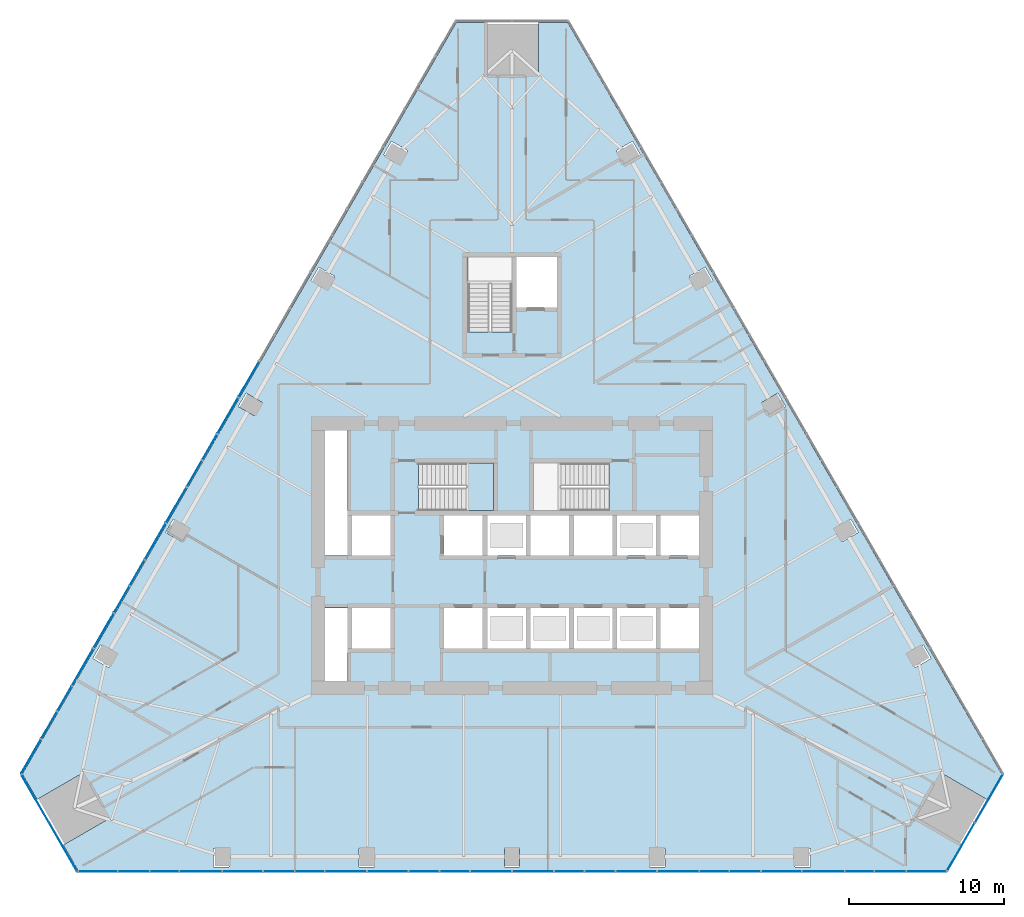
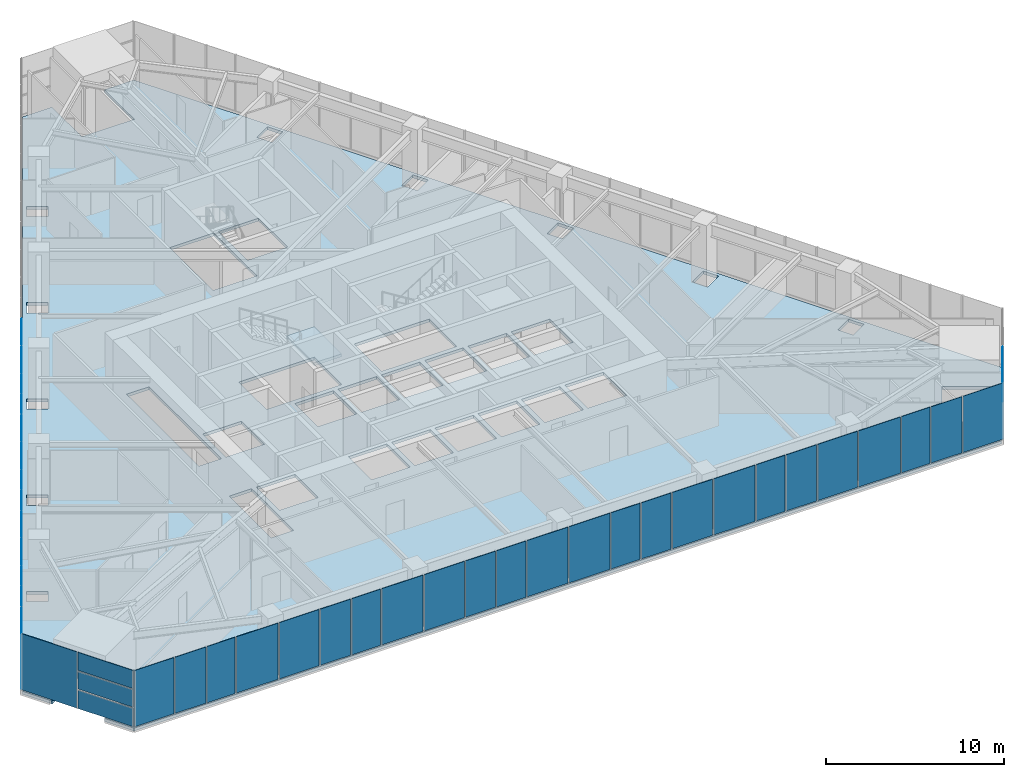
# One storey, part 11 of 19: 43 plates, 2 slabs, 5 elements without a shape of their own.
"""IFC4 building model written with IfcOpenShell, lengths in metres."""

from ifc_helpers import new_model, si_unit, direction, frame, origin, place, context, subcontext, project, spatial, polyline, outline, extrude, material, layer, layer_set, type_object, element, aggregate, save


model = new_model("IFC4")

# Units and contexts
model_context = context("Model", 3, precision=1e-05, world=origin(), true_north=direction((0.0, 1.0)))
body_context = subcontext(model_context, "Body", "Model", "MODEL_VIEW")
ifc_project = project(units=[si_unit("LENGTHUNIT", "METRE"), si_unit("AREAUNIT", "SQUARE_METRE"), si_unit("VOLUMEUNIT", "CUBIC_METRE"), si_unit("PLANEANGLEUNIT", "RADIAN"), si_unit("MASSUNIT", "GRAM", prefix="KILO")], contexts=[model_context])

# Site, building, storey
site_placement = place(None, origin())
site = spatial("IfcSite", under=ifc_project, at=site_placement, CompositionType="ELEMENT")
building_placement = place(site_placement, origin())
building = spatial("IfcBuilding", under=site, at=building_placement, Name="Firuza Gate Tower and Library", CompositionType="ELEMENT")
storey_placement = place(building_placement, frame((0.0, 0.0, 103.0)))
storey = spatial("IfcBuildingStorey", under=building, at=storey_placement, Name="L23", CompositionType="ELEMENT", Elevation=103.0)

# Slab
ifc_material_1 = material(Name="Concrete C40/50", Category="concrete")
ifc_layer_1 = layer(ifc_material_1, 0.199951171875)
ifc_layer_set_1 = layer_set([ifc_layer_1], Name="Composite floor slab 200 C40/50")
slab_type_1 = type_object("IfcSlabType", Name="Composite floor slab 200 C40/50", PredefinedType="FLOOR", material=ifc_layer_set_1)
slab_1_placement = place(storey_placement, frame((0.0, 0.0, -0.199951171875)))
element("IfcSlab", 1, at=slab_1_placement, inside=storey, type_object=slab_type_1, Name="Floor slab L23", PredefinedType="FLOOR", context=body_context, shape_type="SweptSolid", body=[
    extrude(outline(polyline([(103.062744140625, 54.64111328125), (104.0126953125, 56.28662109375), (101.12890625, 57.951416015625), (102.8291015625, 60.89599609375), (105.712646484375, 59.23095703125), (106.66259765625, 60.87646484375), (78.60009765625, 109.482421875), (76.699951171875, 109.482421875), (76.699951171875, 106.152587890625), (73.300048828125, 106.152587890625), (73.300048828125, 109.482421875), (71.39990234375, 109.482421875), (43.33740234375, 60.87646484375), (44.287353515625, 59.23095703125), (47.1708984375, 60.89599609375), (48.87109375, 57.951416015625), (45.9873046875, 56.28662109375), (46.937255859375, 54.64111328125), (103.062744140625, 54.64111328125)]), holes=[polyline([(55.693359375, 54.85595703125), (55.693359375, 56.055908203125), (56.693359375, 56.055908203125), (56.693359375, 54.85595703125), (55.693359375, 54.85595703125)]), polyline([(65.0966796875, 54.85595703125), (65.0966796875, 56.055908203125), (66.0966796875, 56.055908203125), (66.0966796875, 54.85595703125), (65.0966796875, 54.85595703125)]), polyline([(48.4013671875, 69.218017578125), (49.440673828125, 68.617919921875), (48.940673828125, 67.751953125), (47.9013671875, 68.351806640625), (48.4013671875, 69.218017578125)]), polyline([(64.35009765625, 66.89990234375), (62.89990234375, 66.89990234375), (62.89990234375, 71.60009765625), (64.35009765625, 71.60009765625), (64.35009765625, 66.89990234375)]), polyline([(75.89990234375, 69.0), (73.39990234375, 69.0), (73.39990234375, 71.60009765625), (75.89990234375, 71.60009765625), (75.89990234375, 69.0)]), polyline([(73.10009765625, 69.0), (70.60009765625, 69.0), (70.60009765625, 71.60009765625), (73.10009765625, 71.60009765625), (73.10009765625, 69.0)]), polyline([(64.64990234375, 69.0), (64.64990234375, 71.60009765625), (67.14990234375, 71.60009765625), (67.14990234375, 69.0), (64.64990234375, 69.0)]), polyline([(64.64990234375, 75.0), (64.64990234375, 77.60009765625), (67.14990234375, 77.60009765625), (67.14990234375, 75.0), (64.64990234375, 75.0)]), polyline([(75.89990234375, 75.0), (73.39990234375, 75.0), (73.39990234375, 77.60009765625), (75.89990234375, 77.60009765625), (75.89990234375, 75.0)]), polyline([(73.10009765625, 75.0), (70.60009765625, 75.0), (70.60009765625, 77.60009765625), (73.10009765625, 77.60009765625), (73.10009765625, 75.0)]), polyline([(53.10302734375, 77.361572265625), (54.142333984375, 76.761474609375), (53.642333984375, 75.8955078125), (52.60302734375, 76.495361328125), (53.10302734375, 77.361572265625)]), polyline([(62.89990234375, 75.0), (62.89990234375, 83.10009765625), (64.35009765625, 83.10009765625), (64.35009765625, 75.0), (62.89990234375, 75.0)]), polyline([(68.9404296875, 77.89990234375), (68.9404296875, 80.97998046875), (73.81005859375, 80.97998046875), (73.81005859375, 77.89990234375), (68.9404296875, 77.89990234375)]), polyline([(57.8046875, 85.505126953125), (58.843994140625, 84.905029296875), (58.343994140625, 84.0390625), (57.3046875, 84.638916015625), (57.8046875, 85.505126953125)]), polyline([(72.159912109375, 89.470458984375), (72.159912109375, 94.300048828125), (75.0, 94.300048828125), (75.0, 89.470458984375), (72.159912109375, 89.470458984375)]), polyline([(62.50634765625, 93.648681640625), (63.545654296875, 93.048583984375), (63.045654296875, 92.1826171875), (62.00634765625, 92.782470703125), (62.50634765625, 93.648681640625)]), polyline([(68.247314453125, 101.192138671875), (67.747314453125, 100.326171875), (66.7080078125, 100.926025390625), (67.2080078125, 101.792236328125), (68.247314453125, 101.192138671875)]), polyline([(93.306640625, 54.85595703125), (93.306640625, 56.055908203125), (94.306640625, 56.055908203125), (94.306640625, 54.85595703125), (93.306640625, 54.85595703125)]), polyline([(74.5, 54.85595703125), (74.5, 56.055908203125), (75.5, 56.055908203125), (75.5, 54.85595703125), (74.5, 54.85595703125)]), polyline([(83.9033203125, 54.85595703125), (83.9033203125, 56.055908203125), (84.9033203125, 56.055908203125), (84.9033203125, 54.85595703125), (83.9033203125, 54.85595703125)]), polyline([(102.0986328125, 68.351806640625), (101.059326171875, 67.751953125), (100.559326171875, 68.617919921875), (101.5986328125, 69.218017578125), (102.0986328125, 68.351806640625)]), polyline([(78.699951171875, 69.0), (76.199951171875, 69.0), (76.199951171875, 71.60009765625), (78.699951171875, 71.60009765625), (78.699951171875, 69.0)]), polyline([(81.5, 69.0), (79.0, 69.0), (79.0, 71.60009765625), (81.5, 71.60009765625), (81.5, 69.0)]), polyline([(84.60009765625, 69.0), (84.60009765625, 71.60009765625), (87.10009765625, 71.60009765625), (87.10009765625, 69.0), (84.60009765625, 69.0)]), polyline([(81.800048828125, 69.0), (81.800048828125, 71.60009765625), (84.300048828125, 71.60009765625), (84.300048828125, 69.0), (81.800048828125, 69.0)]), polyline([(84.300048828125, 75.0), (81.800048828125, 75.0), (81.800048828125, 77.60009765625), (84.300048828125, 77.60009765625), (84.300048828125, 75.0)]), polyline([(87.10009765625, 75.0), (84.60009765625, 75.0), (84.60009765625, 77.60009765625), (87.10009765625, 77.60009765625), (87.10009765625, 75.0)]), polyline([(81.5, 75.0), (79.0, 75.0), (79.0, 77.60009765625), (81.5, 77.60009765625), (81.5, 75.0)]), polyline([(76.199951171875, 75.0), (76.199951171875, 77.60009765625), (78.699951171875, 77.60009765625), (78.699951171875, 75.0), (76.199951171875, 75.0)]), polyline([(96.357666015625, 75.8955078125), (95.857666015625, 76.761474609375), (96.89697265625, 77.361572265625), (97.39697265625, 76.495361328125), (96.357666015625, 75.8955078125)]), polyline([(81.259521484375, 77.89990234375), (76.389892578125, 77.89990234375), (76.389892578125, 80.97998046875), (81.259521484375, 80.97998046875), (81.259521484375, 77.89990234375)]), polyline([(92.6953125, 84.638916015625), (91.656005859375, 84.0390625), (91.156005859375, 84.905029296875), (92.1953125, 85.505126953125), (92.6953125, 84.638916015625)]), polyline([(77.89990234375, 91.050048828125), (75.300048828125, 91.050048828125), (75.300048828125, 94.300048828125), (77.89990234375, 94.300048828125), (77.89990234375, 91.050048828125)]), polyline([(86.954345703125, 92.1826171875), (86.454345703125, 93.048583984375), (87.49365234375, 93.648681640625), (87.99365234375, 92.782470703125), (86.954345703125, 92.1826171875)]), polyline([(82.252685546875, 100.326171875), (81.752685546875, 101.192138671875), (82.7919921875, 101.792236328125), (83.2919921875, 100.926025390625), (82.252685546875, 100.326171875)])]), origin(), (0.0, 0.0, 1.0), 0.199951171875),
])

# Curtain wall, plate
ifc_material_2 = material(Name="Aluminium 6063-T6", Category="aluminium")
ifc_layer_2 = layer(ifc_material_2, 0.14990234375)
ifc_layer_set_2 = layer_set([ifc_layer_2], Name="Corner curtain wall, chamfers")
curtain_wall_type_1 = type_object("IfcCurtainWallType", Name="Corner curtain wall, chamfers", PredefinedType="NOTDEFINED", material=ifc_layer_set_2)
placement = place(storey_placement, origin())
curtain_wall_1 = element("IfcCurtainWall", 2, at=placement, inside=storey, type_object=curtain_wall_type_1, Name="CW4 L23 SE corner", PredefinedType="NOTDEFINED")
ifc_material_3 = material(Name="Fritted glass", Category="glass")
ifc_layer_3 = layer(ifc_material_3, 0.030029296875)
ifc_layer_set_3 = layer_set([ifc_layer_3], Name="Fritted glass unit, corners")
plate_type_1 = type_object("IfcPlateType", Name="Fritted glass unit, corners", PredefinedType="CURTAIN_PANEL", material=ifc_layer_set_3)
plate_1_placement = place(storey_placement, frame((104.960693359375, 57.74853515625, 0.14990234375), z_axis=(0.866029262436, -0.49999331656, 0.0), x_axis=(0.49999331656, 0.866029262436, 0.0)))
plate_1 = element("IfcPlate", 3, at=plate_1_placement, type_object=plate_type_1, Name="Glass unit", PredefinedType="CURTAIN_PANEL", context=body_context, shape_type="SweptSolid", body=[
    extrude(outline(polyline([(0.0, 0.0), (3.563035907926298, 0.0), (3.563035907926298, 1.260009765625), (0.0, 1.260009765625), (0.0, 0.0)])), origin(), (0.0, 0.0, -1.0), 0.030029296875),
])

# Curtain wall, plates
curtain_wall_2 = element("IfcCurtainWall", 4, at=placement, inside=storey, type_object=curtain_wall_type_1, Name="CW4 L23 SW corner", PredefinedType="NOTDEFINED")
plate_2_placement = place(storey_placement, frame((45.079345703125, 57.67919921875, 0.14990234375), z_axis=(-0.866016723041, -0.500015035186, 0.0), x_axis=(0.500015035186, -0.866016723041, 0.0)))
plate_2 = element("IfcPlate", 5, at=plate_2_placement, type_object=plate_type_1, Name="Glass unit", PredefinedType="CURTAIN_PANEL", context=body_context, shape_type="SweptSolid", body=[
    extrude(outline(polyline([(0.0, 0.0), (3.5633694106530625, 0.0), (3.5633694106530625, 1.260009765625), (0.0, 1.260009765625), (0.0, 0.0)])), origin(), (0.0, 0.0, -1.0), 0.030029296875),
])
plate_3_placement = place(storey_placement, frame((45.079345703125, 57.67919921875, 1.489990234375), z_axis=(-0.866016723041, -0.500015035186, 0.0), x_axis=(0.500015035186, -0.866016723041, 0.0)))
plate_3 = element("IfcPlate", 6, at=plate_3_placement, type_object=plate_type_1, Name="Glass unit", PredefinedType="CURTAIN_PANEL", context=body_context, shape_type="SweptSolid", body=[
    extrude(outline(polyline([(0.0, 0.0), (3.5633694106530625, 0.0), (3.5633694106530625, 1.195068359375), (0.0, 1.195068359375), (0.0, 0.0)])), origin(), (0.0, 0.0, -1.0), 0.030029296875),
])

ifc_material_4 = material(Name="Aluminium 6063-T6", Category="aluminium")
ifc_layer_4 = layer(ifc_material_4, 0.14990234375)
ifc_layer_set_4 = layer_set([ifc_layer_4], Name="Unitised curtain wall, offices")
curtain_wall_type_2 = type_object("IfcCurtainWallType", Name="Unitised curtain wall, offices", PredefinedType="NOTDEFINED", material=ifc_layer_set_4)
curtain_wall_3 = element("IfcCurtainWall", 7, at=placement, inside=storey, type_object=curtain_wall_type_2, Name="CW1 L23 S face", PredefinedType="NOTDEFINED")
ifc_material_5 = material(Name="Fritted glass", Category="glass")
ifc_layer_5 = layer(ifc_material_5, 0.030029296875)
ifc_layer_set_5 = layer_set([ifc_layer_5], Name="Fritted glass unit, offices")
plate_type_2 = type_object("IfcPlateType", Name="Fritted glass unit, offices", PredefinedType="CURTAIN_PANEL", material=ifc_layer_set_5)
plate_4_placement = place(storey_placement, frame((49.54296875, 54.551025390625, 0.14990234375), z_axis=(0.0, -1.0, 0.0), x_axis=(1.0, 0.0, 0.0)))
plate_4 = element("IfcPlate", 8, at=plate_4_placement, type_object=plate_type_2, Name="Glass unit", PredefinedType="CURTAIN_PANEL", context=body_context, shape_type="SweptSolid", body=[
    extrude(outline(polyline([(0.0, 0.0), (1.995361328125, 0.0), (1.995361328125, 3.85009765625), (0.0, 3.85009765625), (0.0, 0.0)])), origin(), (0.0, 0.0, -1.0), 0.030029296875),
])
plate_5_placement = place(storey_placement, frame((51.618408203125, 54.551025390625, 0.14990234375), z_axis=(0.0, -1.0, 0.0), x_axis=(1.0, 0.0, 0.0)))
plate_5 = element("IfcPlate", 9, at=plate_5_placement, type_object=plate_type_2, Name="Glass unit", PredefinedType="CURTAIN_PANEL", context=body_context, shape_type="SweptSolid", body=[
    extrude(outline(polyline([(0.0, 0.0), (1.82177734375, 0.0), (1.82177734375, 3.85009765625), (0.0, 3.85009765625), (0.0, 0.0)])), origin(), (0.0, 0.0, -1.0), 0.030029296875),
])
plate_6_placement = place(storey_placement, frame((58.9462890625, 54.551025390625, 0.14990234375), z_axis=(0.0, -1.0, 0.0), x_axis=(1.0, 0.0, 0.0)))
plate_6 = element("IfcPlate", 10, at=plate_6_placement, type_object=plate_type_2, Name="Glass unit", PredefinedType="CURTAIN_PANEL", context=body_context, shape_type="SweptSolid", body=[
    extrude(outline(polyline([(0.0, 0.0), (1.960693359375, 0.0), (1.960693359375, 3.85009765625), (0.0, 3.85009765625), (0.0, 0.0)])), origin(), (0.0, 0.0, -1.0), 0.030029296875),
])
plate_7_placement = place(storey_placement, frame((60.987060546875, 54.551025390625, 0.14990234375), z_axis=(0.0, -1.0, 0.0), x_axis=(1.0, 0.0, 0.0)))
plate_7 = element("IfcPlate", 11, at=plate_7_placement, type_object=plate_type_2, Name="Glass unit", PredefinedType="CURTAIN_PANEL", context=body_context, shape_type="SweptSolid", body=[
    extrude(outline(polyline([(0.0, 0.0), (1.856689453125, 0.0), (1.856689453125, 3.85009765625), (0.0, 3.85009765625), (0.0, 0.0)])), origin(), (0.0, 0.0, -1.0), 0.030029296875),
])
plate_8_placement = place(storey_placement, frame((68.349609375, 54.551025390625, 0.14990234375), z_axis=(0.0, -1.0, 0.0), x_axis=(1.0, 0.0, 0.0)))
plate_8 = element("IfcPlate", 12, at=plate_8_placement, type_object=plate_type_2, Name="Glass unit", PredefinedType="CURTAIN_PANEL", context=body_context, shape_type="SweptSolid", body=[
    extrude(outline(polyline([(0.0, 0.0), (1.926025390625, 0.0), (1.926025390625, 3.85009765625), (0.0, 3.85009765625), (0.0, 0.0)])), origin(), (0.0, 0.0, -1.0), 0.030029296875),
])
plate_9_placement = place(storey_placement, frame((70.355712890625, 54.551025390625, 0.14990234375), z_axis=(0.0, -1.0, 0.0), x_axis=(1.0, 0.0, 0.0)))
plate_9 = element("IfcPlate", 13, at=plate_9_placement, type_object=plate_type_2, Name="Glass unit", PredefinedType="CURTAIN_PANEL", context=body_context, shape_type="SweptSolid", body=[
    extrude(outline(polyline([(0.0, 0.0), (1.891357421875, 0.0), (1.891357421875, 3.85009765625), (0.0, 3.85009765625), (0.0, 0.0)])), origin(), (0.0, 0.0, -1.0), 0.030029296875),
])
plate_10_placement = place(storey_placement, frame((77.7529296875, 54.551025390625, 0.14990234375), z_axis=(0.0, -1.0, 0.0), x_axis=(1.0, 0.0, 0.0)))
plate_10 = element("IfcPlate", 14, at=plate_10_placement, type_object=plate_type_2, Name="Glass unit", PredefinedType="CURTAIN_PANEL", context=body_context, shape_type="SweptSolid", body=[
    extrude(outline(polyline([(0.0, 0.0), (1.891357421875, 0.0), (1.891357421875, 3.85009765625), (0.0, 3.85009765625), (0.0, 0.0)])), origin(), (0.0, 0.0, -1.0), 0.030029296875),
])
plate_11_placement = place(storey_placement, frame((79.724365234375, 54.551025390625, 0.14990234375), z_axis=(0.0, -1.0, 0.0), x_axis=(1.0, 0.0, 0.0)))
plate_11 = element("IfcPlate", 15, at=plate_11_placement, type_object=plate_type_2, Name="Glass unit", PredefinedType="CURTAIN_PANEL", context=body_context, shape_type="SweptSolid", body=[
    extrude(outline(polyline([(0.0, 0.0), (1.926025390625, 0.0), (1.926025390625, 3.85009765625), (0.0, 3.85009765625), (0.0, 0.0)])), origin(), (0.0, 0.0, -1.0), 0.030029296875),
])
plate_12_placement = place(storey_placement, frame((87.15625, 54.551025390625, 0.14990234375), z_axis=(0.0, -1.0, 0.0), x_axis=(1.0, 0.0, 0.0)))
plate_12 = element("IfcPlate", 16, at=plate_12_placement, type_object=plate_type_2, Name="Glass unit", PredefinedType="CURTAIN_PANEL", context=body_context, shape_type="SweptSolid", body=[
    extrude(outline(polyline([(0.0, 0.0), (1.856689453125, 0.0), (1.856689453125, 3.85009765625), (0.0, 3.85009765625), (0.0, 0.0)])), origin(), (0.0, 0.0, -1.0), 0.030029296875),
])
plate_13_placement = place(storey_placement, frame((89.093017578125, 54.551025390625, 0.14990234375), z_axis=(0.0, -1.0, 0.0), x_axis=(1.0, 0.0, 0.0)))
plate_13 = element("IfcPlate", 17, at=plate_13_placement, type_object=plate_type_2, Name="Glass unit", PredefinedType="CURTAIN_PANEL", context=body_context, shape_type="SweptSolid", body=[
    extrude(outline(polyline([(0.0, 0.0), (1.960693359375, 0.0), (1.960693359375, 3.85009765625), (0.0, 3.85009765625), (0.0, 0.0)])), origin(), (0.0, 0.0, -1.0), 0.030029296875),
])
plate_14_placement = place(storey_placement, frame((96.559814453125, 54.551025390625, 0.14990234375), z_axis=(0.0, -1.0, 0.0), x_axis=(1.0, 0.0, 0.0)))
plate_14 = element("IfcPlate", 18, at=plate_14_placement, type_object=plate_type_2, Name="Glass unit", PredefinedType="CURTAIN_PANEL", context=body_context, shape_type="SweptSolid", body=[
    extrude(outline(polyline([(0.0, 0.0), (1.82177734375, 0.0), (1.82177734375, 3.85009765625), (0.0, 3.85009765625), (0.0, 0.0)])), origin(), (0.0, 0.0, -1.0), 0.030029296875),
])
plate_15_placement = place(storey_placement, frame((98.461669921875, 54.551025390625, 0.14990234375), z_axis=(0.0, -1.0, 0.0), x_axis=(1.0, 0.0, 0.0)))
plate_15 = element("IfcPlate", 19, at=plate_15_placement, type_object=plate_type_2, Name="Glass unit", PredefinedType="CURTAIN_PANEL", context=body_context, shape_type="SweptSolid", body=[
    extrude(outline(polyline([(0.0, 0.0), (1.995361328125, 0.0), (1.995361328125, 3.85009765625), (0.0, 3.85009765625), (0.0, 0.0)])), origin(), (0.0, 0.0, -1.0), 0.030029296875),
])

curtain_wall_4 = element("IfcCurtainWall", 20, at=placement, inside=storey, type_object=curtain_wall_type_2, Name="CW1 L23 W face", PredefinedType="NOTDEFINED")
plate_16_placement = place(storey_placement, frame((55.914306640625, 82.84033203125, 0.14990234375), z_axis=(-0.865994267213, 0.500053926246, 0.0), x_axis=(-0.500053926246, -0.865994267213, 0.0)))
plate_16 = element("IfcPlate", 21, at=plate_16_placement, type_object=plate_type_2, Name="Glass unit", PredefinedType="CURTAIN_PANEL", context=body_context, shape_type="SweptSolid", body=[
    extrude(outline(polyline([(0.0, 0.0), (1.8913975705590127, 0.0), (1.8913975705590127, 3.85009765625), (0.0, 3.85009765625), (0.0, 0.0)])), origin(), (0.0, 0.0, -1.0), 0.030029296875),
])
plate_17_placement = place(storey_placement, frame((54.928466796875, 81.133056640625, 0.14990234375), z_axis=(-0.86605048973, 0.49995654735, 0.0), x_axis=(-0.49995654735, -0.86605048973, 0.0)))
plate_17 = element("IfcPlate", 22, at=plate_17_placement, type_object=plate_type_2, Name="Glass unit", PredefinedType="CURTAIN_PANEL", context=body_context, shape_type="SweptSolid", body=[
    extrude(outline(polyline([(0.0, 0.0), (1.9259486251428029, 0.0), (1.9259486251428029, 3.85009765625), (0.0, 3.85009765625), (0.0, 0.0)])), origin(), (0.0, 0.0, -1.0), 0.030029296875),
])
plate_18_placement = place(storey_placement, frame((51.212646484375, 74.69677734375, 0.14990234375), z_axis=(-0.865992883789, 0.500056322054, 0.0), x_axis=(-0.500056322054, -0.865992883789, 0.0)))
plate_18 = element("IfcPlate", 23, at=plate_18_placement, type_object=plate_type_2, Name="Glass unit", PredefinedType="CURTAIN_PANEL", context=body_context, shape_type="SweptSolid", body=[
    extrude(outline(polyline([(0.0, 0.0), (1.8567244446797222, 0.0), (1.8567244446797222, 3.85009765625), (0.0, 3.85009765625), (0.0, 0.0)])), origin(), (0.0, 0.0, -1.0), 0.030029296875),
])
plate_19_placement = place(storey_placement, frame((50.244140625, 73.01953125, 0.14990234375), z_axis=(-0.8660508054, 0.499956000529, 0.0), x_axis=(-0.499956000529, -0.8660508054, 0.0)))
plate_19 = element("IfcPlate", 24, at=plate_19_placement, type_object=plate_type_2, Name="Glass unit", PredefinedType="CURTAIN_PANEL", context=body_context, shape_type="SweptSolid", body=[
    extrude(outline(polyline([(0.0, 0.0), (1.960621751387984, 0.0), (1.960621751387984, 3.85009765625), (0.0, 3.85009765625), (0.0, 0.0)])), origin(), (0.0, 0.0, -1.0), 0.030029296875),
])
plate_20_placement = place(storey_placement, frame((46.510986328125, 66.55322265625, 0.14990234375), z_axis=(-0.865991447706, 0.500058809042, 0.0), x_axis=(-0.500058809042, -0.865991447706, 0.0)))
plate_20 = element("IfcPlate", 25, at=plate_20_placement, type_object=plate_type_2, Name="Glass unit", PredefinedType="CURTAIN_PANEL", context=body_context, shape_type="SweptSolid", body=[
    extrude(outline(polyline([(0.0, 0.0), (1.8220513188151832, 0.0), (1.8220513188151832, 3.85009765625), (0.0, 3.85009765625), (0.0, 0.0)])), origin(), (0.0, 0.0, -1.0), 0.030029296875),
])
plate_21_placement = place(storey_placement, frame((45.559814453125, 64.906005859375, 0.14990234375), z_axis=(-0.866051110099, 0.499955472713, 0.0), x_axis=(-0.499955472713, -0.866051110099, 0.0)))
plate_21 = element("IfcPlate", 26, at=plate_21_placement, type_object=plate_type_2, Name="Glass unit", PredefinedType="CURTAIN_PANEL", context=body_context, shape_type="SweptSolid", body=[
    extrude(outline(polyline([(0.0, 0.0), (1.9952948776339197, 0.0), (1.9952948776339197, 3.8500976562499996), (0.0, 3.8500976562499996), (0.0, 0.0)])), origin(), (0.0, 0.0, -1.0), 0.030029296875),
])

# Plate
ifc_material_6 = material(Name="Glazed ceramic tile")
ifc_layer_6 = layer(ifc_material_6, 0.030029296875)
ifc_layer_set_6 = layer_set([ifc_layer_6], Name="Opaque ceramic panel, corners")
plate_type_3 = type_object("IfcPlateType", Name="Opaque ceramic panel, corners", PredefinedType="CURTAIN_PANEL", material=ifc_layer_set_6)
plate_22_placement = place(storey_placement, frame((103.138916015625, 54.59326171875, 0.14990234375), z_axis=(0.866016723041, -0.500015035186, 0.0), x_axis=(0.500015035186, 0.866016723041, 0.0)))
plate_22 = element("IfcPlate", 27, at=plate_22_placement, type_object=plate_type_3, Name="Opaque ceramic panel", PredefinedType="CURTAIN_PANEL", context=body_context, shape_type="SweptSolid", body=[
    extrude(outline(polyline([(0.0, 0.0), (3.5633694106530625, 0.0), (3.5633694106530625, 3.85009765625), (0.0, 3.85009765625), (0.0, 0.0)])), origin(), (0.0, 0.0, -1.0), 0.030029296875),
])

aggregate(curtain_wall_1, [plate_22, plate_1])

plate_23_placement = place(storey_placement, frame((43.2578125, 60.834228515625, 0.14990234375), z_axis=(-0.866029262436, -0.49999331656, 0.0), x_axis=(0.49999331656, -0.866029262436, 0.0)))
plate_23 = element("IfcPlate", 28, at=plate_23_placement, type_object=plate_type_3, Name="Opaque ceramic panel", PredefinedType="CURTAIN_PANEL", context=body_context, shape_type="SweptSolid", body=[
    extrude(outline(polyline([(0.0, 0.0), (3.563035907926298, 0.0), (3.563035907926298, 3.85009765625), (0.0, 3.85009765625), (0.0, 0.0)])), origin(), (0.0, 0.0, -1.0), 0.030029296875),
])

plate_24_placement = place(storey_placement, frame((45.079345703125, 57.67919921875, 2.764892578125), z_axis=(-0.866016723041, -0.500015035186, 0.0), x_axis=(0.500015035186, -0.866016723041, 0.0)))
plate_24 = element("IfcPlate", 29, at=plate_24_placement, type_object=plate_type_3, Name="Opaque ceramic panel", PredefinedType="CURTAIN_PANEL", context=body_context, shape_type="SweptSolid", body=[
    extrude(outline(polyline([(0.0, 0.0), (3.5633694106530625, 0.0), (3.5633694106530625, 1.235107421875), (0.0, 1.235107421875), (0.0, 0.0)])), origin(), (0.0, 0.0, -1.0), 0.030029296875),
])

aggregate(curtain_wall_2, [plate_23, plate_2, plate_3, plate_24])

ifc_material_7 = material(Name="Glazed ceramic tile")
ifc_layer_7 = layer(ifc_material_7, 0.030029296875)
ifc_layer_set_7 = layer_set([ifc_layer_7], Name="Opaque ceramic panel, offices")
plate_type_4 = type_object("IfcPlateType", Name="Opaque ceramic panel, offices", PredefinedType="CURTAIN_PANEL", material=ifc_layer_set_7)
plate_25_placement = place(storey_placement, frame((46.93408203125, 54.551025390625, 0.14990234375), z_axis=(0.0, -1.0, 0.0), x_axis=(1.0, 0.0, 0.0)))
plate_25 = element("IfcPlate", 30, at=plate_25_placement, type_object=plate_type_4, Name="Opaque ceramic panel", PredefinedType="CURTAIN_PANEL", context=body_context, shape_type="SweptSolid", body=[
    extrude(outline(polyline([(0.0, 0.0), (2.52880859375, 0.0), (2.52880859375, 3.85009765625), (0.0, 3.85009765625), (0.0, 0.0)])), origin(), (0.0, 0.0, -1.0), 0.030029296875),
])

plate_26_placement = place(storey_placement, frame((53.520263671875, 54.551025390625, 0.14990234375), z_axis=(0.0, -1.0, 0.0), x_axis=(1.0, 0.0, 0.0)))
plate_26 = element("IfcPlate", 31, at=plate_26_placement, type_object=plate_type_4, Name="Opaque ceramic panel", PredefinedType="CURTAIN_PANEL", context=body_context, shape_type="SweptSolid", body=[
    extrude(outline(polyline([(0.0, 0.0), (2.702392578125, 0.0), (2.702392578125, 3.85009765625), (0.0, 3.85009765625), (0.0, 0.0)])), origin(), (0.0, 0.0, -1.0), 0.030029296875),
])

plate_27_placement = place(storey_placement, frame((56.302734375, 54.551025390625, 0.14990234375), z_axis=(0.0, -1.0, 0.0), x_axis=(1.0, 0.0, 0.0)))
plate_27 = element("IfcPlate", 32, at=plate_27_placement, type_object=plate_type_4, Name="Opaque ceramic panel", PredefinedType="CURTAIN_PANEL", context=body_context, shape_type="SweptSolid", body=[
    extrude(outline(polyline([(0.0, 0.0), (2.5634765625, 0.0), (2.5634765625, 3.85009765625), (0.0, 3.85009765625), (0.0, 0.0)])), origin(), (0.0, 0.0, -1.0), 0.030029296875),
])

plate_28_placement = place(storey_placement, frame((62.923583984375, 54.551025390625, 0.14990234375), z_axis=(0.0, -1.0, 0.0), x_axis=(1.0, 0.0, 0.0)))
plate_28 = element("IfcPlate", 33, at=plate_28_placement, type_object=plate_type_4, Name="Opaque ceramic panel", PredefinedType="CURTAIN_PANEL", context=body_context, shape_type="SweptSolid", body=[
    extrude(outline(polyline([(0.0, 0.0), (2.667724609375, 0.0), (2.667724609375, 3.85009765625), (0.0, 3.85009765625), (0.0, 0.0)])), origin(), (0.0, 0.0, -1.0), 0.030029296875),
])

plate_29_placement = place(storey_placement, frame((65.67138671875, 54.551025390625, 0.14990234375), z_axis=(0.0, -1.0, 0.0), x_axis=(1.0, 0.0, 0.0)))
plate_29 = element("IfcPlate", 34, at=plate_29_placement, type_object=plate_type_4, Name="Opaque ceramic panel", PredefinedType="CURTAIN_PANEL", context=body_context, shape_type="SweptSolid", body=[
    extrude(outline(polyline([(0.0, 0.0), (2.59814453125, 0.0), (2.59814453125, 3.85009765625), (0.0, 3.85009765625), (0.0, 0.0)])), origin(), (0.0, 0.0, -1.0), 0.030029296875),
])

plate_30_placement = place(storey_placement, frame((72.326904296875, 54.551025390625, 0.14990234375), z_axis=(0.0, -1.0, 0.0), x_axis=(1.0, 0.0, 0.0)))
plate_30 = element("IfcPlate", 35, at=plate_30_placement, type_object=plate_type_4, Name="Opaque ceramic panel", PredefinedType="CURTAIN_PANEL", context=body_context, shape_type="SweptSolid", body=[
    extrude(outline(polyline([(0.0, 0.0), (2.633056640625, 0.0), (2.633056640625, 3.85009765625), (0.0, 3.85009765625), (0.0, 0.0)])), origin(), (0.0, 0.0, -1.0), 0.030029296875),
])

plate_31_placement = place(storey_placement, frame((75.0400390625, 54.551025390625, 0.14990234375), z_axis=(0.0, -1.0, 0.0), x_axis=(1.0, 0.0, 0.0)))
plate_31 = element("IfcPlate", 36, at=plate_31_placement, type_object=plate_type_4, Name="Opaque ceramic panel", PredefinedType="CURTAIN_PANEL", context=body_context, shape_type="SweptSolid", body=[
    extrude(outline(polyline([(0.0, 0.0), (2.633056640625, 0.0), (2.633056640625, 3.85009765625), (0.0, 3.85009765625), (0.0, 0.0)])), origin(), (0.0, 0.0, -1.0), 0.030029296875),
])

plate_32_placement = place(storey_placement, frame((81.73046875, 54.551025390625, 0.14990234375), z_axis=(0.0, -1.0, 0.0), x_axis=(1.0, 0.0, 0.0)))
plate_32 = element("IfcPlate", 37, at=plate_32_placement, type_object=plate_type_4, Name="Opaque ceramic panel", PredefinedType="CURTAIN_PANEL", context=body_context, shape_type="SweptSolid", body=[
    extrude(outline(polyline([(0.0, 0.0), (2.59814453125, 0.0), (2.59814453125, 3.85009765625), (0.0, 3.85009765625), (0.0, 0.0)])), origin(), (0.0, 0.0, -1.0), 0.030029296875),
])

plate_33_placement = place(storey_placement, frame((84.40869140625, 54.551025390625, 0.14990234375), z_axis=(0.0, -1.0, 0.0), x_axis=(1.0, 0.0, 0.0)))
plate_33 = element("IfcPlate", 38, at=plate_33_placement, type_object=plate_type_4, Name="Opaque ceramic panel", PredefinedType="CURTAIN_PANEL", context=body_context, shape_type="SweptSolid", body=[
    extrude(outline(polyline([(0.0, 0.0), (2.667724609375, 0.0), (2.667724609375, 3.85009765625), (0.0, 3.85009765625), (0.0, 0.0)])), origin(), (0.0, 0.0, -1.0), 0.030029296875),
])

plate_34_placement = place(storey_placement, frame((91.1337890625, 54.551025390625, 0.14990234375), z_axis=(0.0, -1.0, 0.0), x_axis=(1.0, 0.0, 0.0)))
plate_34 = element("IfcPlate", 39, at=plate_34_placement, type_object=plate_type_4, Name="Opaque ceramic panel", PredefinedType="CURTAIN_PANEL", context=body_context, shape_type="SweptSolid", body=[
    extrude(outline(polyline([(0.0, 0.0), (2.5634765625, 0.0), (2.5634765625, 3.85009765625), (0.0, 3.85009765625), (0.0, 0.0)])), origin(), (0.0, 0.0, -1.0), 0.030029296875),
])

plate_35_placement = place(storey_placement, frame((93.77734375, 54.551025390625, 0.14990234375), z_axis=(0.0, -1.0, 0.0), x_axis=(1.0, 0.0, 0.0)))
plate_35 = element("IfcPlate", 40, at=plate_35_placement, type_object=plate_type_4, Name="Opaque ceramic panel", PredefinedType="CURTAIN_PANEL", context=body_context, shape_type="SweptSolid", body=[
    extrude(outline(polyline([(0.0, 0.0), (2.702392578125, 0.0), (2.702392578125, 3.85009765625), (0.0, 3.85009765625), (0.0, 0.0)])), origin(), (0.0, 0.0, -1.0), 0.030029296875),
])

plate_36_placement = place(storey_placement, frame((100.537109375, 54.551025390625, 0.14990234375), z_axis=(0.0, -1.0, 0.0), x_axis=(1.0, 0.0, 0.0)))
plate_36 = element("IfcPlate", 41, at=plate_36_placement, type_object=plate_type_4, Name="Opaque ceramic panel", PredefinedType="CURTAIN_PANEL", context=body_context, shape_type="SweptSolid", body=[
    extrude(outline(polyline([(0.0, 0.0), (2.52880859375, 0.0), (2.52880859375, 3.85009765625), (0.0, 3.85009765625), (0.0, 0.0)])), origin(), (0.0, 0.0, -1.0), 0.030029296875),
])

aggregate(curtain_wall_3, [plate_25, plate_4, plate_5, plate_26, plate_27, plate_6, plate_7, plate_28, plate_29, plate_8, plate_9, plate_30, plate_31, plate_10, plate_11, plate_32, plate_33, plate_12, plate_13, plate_34, plate_35, plate_14, plate_15, plate_36])

plate_37_placement = place(storey_placement, frame((58.627197265625, 87.539306640625, 0.14990234375), z_axis=(-0.866043531843, 0.499968599967, 0.0), x_axis=(-0.499968599967, -0.866043531843, 0.0)))
plate_37 = element("IfcPlate", 42, at=plate_37_placement, type_object=plate_type_4, Name="Opaque ceramic panel", PredefinedType="CURTAIN_PANEL", context=body_context, shape_type="SweptSolid", body=[
    extrude(outline(polyline([(0.0, 0.0), (2.6329778511805086, 0.0), (2.6329778511805086, 3.85009765625), (0.0, 3.85009765625), (0.0, 0.0)])), origin(), (0.0, 0.0, -1.0), 0.030029296875),
])

plate_38_placement = place(storey_placement, frame((57.270751953125, 85.189697265625, 0.14990234375), z_axis=(-0.866020350925, 0.500008751707, 0.0), x_axis=(-0.500008751707, -0.866020350925, 0.0)))
plate_38 = element("IfcPlate", 43, at=plate_38_placement, type_object=plate_type_4, Name="Opaque ceramic panel", PredefinedType="CURTAIN_PANEL", context=body_context, shape_type="SweptSolid", body=[
    extrude(outline(polyline([(0.0, 0.0), (2.6327664176009558, 0.0), (2.6327664176009558, 3.85009765625), (0.0, 3.85009765625), (0.0, 0.0)])), origin(), (0.0, 0.0, -1.0), 0.030029296875),
])

plate_39_placement = place(storey_placement, frame((53.925537109375, 79.395751953125, 0.14990234375), z_axis=(-0.866043200788, 0.499969173418, 0.0), x_axis=(-0.499969173418, -0.866043200788, 0.0)))
plate_39 = element("IfcPlate", 44, at=plate_39_placement, type_object=plate_type_4, Name="Opaque ceramic panel", PredefinedType="CURTAIN_PANEL", context=body_context, shape_type="SweptSolid", body=[
    extrude(outline(polyline([(0.0, 0.0), (2.598304724956874, 0.0), (2.598304724956874, 3.85009765625), (0.0, 3.85009765625), (0.0, 0.0)])), origin(), (0.0, 0.0, -1.0), 0.030029296875),
])

plate_40_placement = place(storey_placement, frame((52.58642578125, 77.076416015625, 0.14990234375), z_axis=(-0.866004226204, 0.500036678852, 0.0), x_axis=(-0.500036678852, -0.866004226204, 0.0)))
plate_40 = element("IfcPlate", 45, at=plate_40_placement, type_object=plate_type_4, Name="Opaque ceramic panel", PredefinedType="CURTAIN_PANEL", context=body_context, shape_type="SweptSolid", body=[
    extrude(outline(polyline([(0.0, 0.0), (2.6677730482941655, 0.0), (2.6677730482941655, 3.85009765625), (0.0, 3.85009765625), (0.0, 0.0)])), origin(), (0.0, 0.0, -1.0), 0.030029296875),
])

plate_41_placement = place(storey_placement, frame((49.223876953125, 71.252197265625, 0.14990234375), z_axis=(-0.866019052629, 0.500011000363, 0.0), x_axis=(-0.500011000363, -0.866019052629, 0.0)))
plate_41 = element("IfcPlate", 46, at=plate_41_placement, type_object=plate_type_4, Name="Opaque ceramic panel", PredefinedType="CURTAIN_PANEL", context=body_context, shape_type="SweptSolid", body=[
    extrude(outline(polyline([(0.0, 0.0), (2.56342016539525, 0.0), (2.56342016539525, 3.85009765625), (0.0, 3.85009765625), (0.0, 0.0)])), origin(), (0.0, 0.0, -1.0), 0.030029296875),
])

plate_42_placement = place(storey_placement, frame((47.902099609375, 68.962890625, 0.14990234375), z_axis=(-0.866005048879, 0.500035254073, 0.0), x_axis=(-0.500035254073, -0.866005048879, 0.0)))
plate_42 = element("IfcPlate", 47, at=plate_42_placement, type_object=plate_type_4, Name="Opaque ceramic panel", PredefinedType="CURTAIN_PANEL", context=body_context, shape_type="SweptSolid", body=[
    extrude(outline(polyline([(0.0, 0.0), (2.7024461742796455, 0.0), (2.7024461742796455, 3.8500976562499996), (0.0, 3.8500976562499996), (0.0, 0.0)])), origin(), (0.0, 0.0, -1.0), 0.030029296875),
])

plate_43_placement = place(storey_placement, frame((44.522216796875, 63.108642578125, 0.14990234375), z_axis=(-0.866018376776, 0.500012170939, 0.0), x_axis=(-0.500012170939, -0.866018376776, 0.0)))
plate_43 = element("IfcPlate", 48, at=plate_43_placement, type_object=plate_type_4, Name="Opaque ceramic panel", PredefinedType="CURTAIN_PANEL", context=body_context, shape_type="SweptSolid", body=[
    extrude(outline(polyline([(0.0, 0.0), (2.528747039299145, 0.0), (2.528747039299145, 3.85009765625), (0.0, 3.85009765625), (0.0, 0.0)])), origin(), (0.0, 0.0, -1.0), 0.030029296875),
])

aggregate(curtain_wall_4, [plate_37, plate_38, plate_16, plate_17, plate_39, plate_40, plate_18, plate_19, plate_41, plate_42, plate_20, plate_21, plate_43])

# Stair, slab
ifc_material_8 = material(Name="Concrete C35/45", Category="concrete")
stair_type = type_object("IfcStairType", Name="Exit stair ST5", PredefinedType="HALF_TURN_STAIR", material=ifc_material_8)
stair = element("IfcStair", 49, at=placement, inside=storey, type_object=stair_type, Name="L23 Stair ST1", PredefinedType="HALF_TURN_STAIR")
ifc_material_9 = material(Name="Concrete C35/45", Category="concrete")
ifc_layer_8 = layer(ifc_material_9, 0.199951171875)
ifc_layer_set_8 = layer_set([ifc_layer_8], Name="Stair landing 200")
slab_type_2 = type_object("IfcSlabType", Name="Stair landing 200", PredefinedType="LANDING", material=ifc_layer_set_8)
slab_2_placement = place(storey_placement, frame((0.0, 0.0, 1.89990234375)))
slab_2 = element("IfcSlab", 50, at=slab_2_placement, type_object=slab_type_2, Name="ST1 landing 1", PredefinedType="LANDING", context=body_context, shape_type="SweptSolid", body=[
    extrude(outline(polyline([(72.02001953125, 77.89990234375), (73.81005859375, 77.89990234375), (73.81005859375, 80.97998046875), (72.02001953125, 80.97998046875), (72.02001953125, 77.89990234375)])), origin(), (0.0, 0.0, 1.0), 0.2001953125),
])
aggregate(stair, [slab_2])

save(model, "model.ifc")
